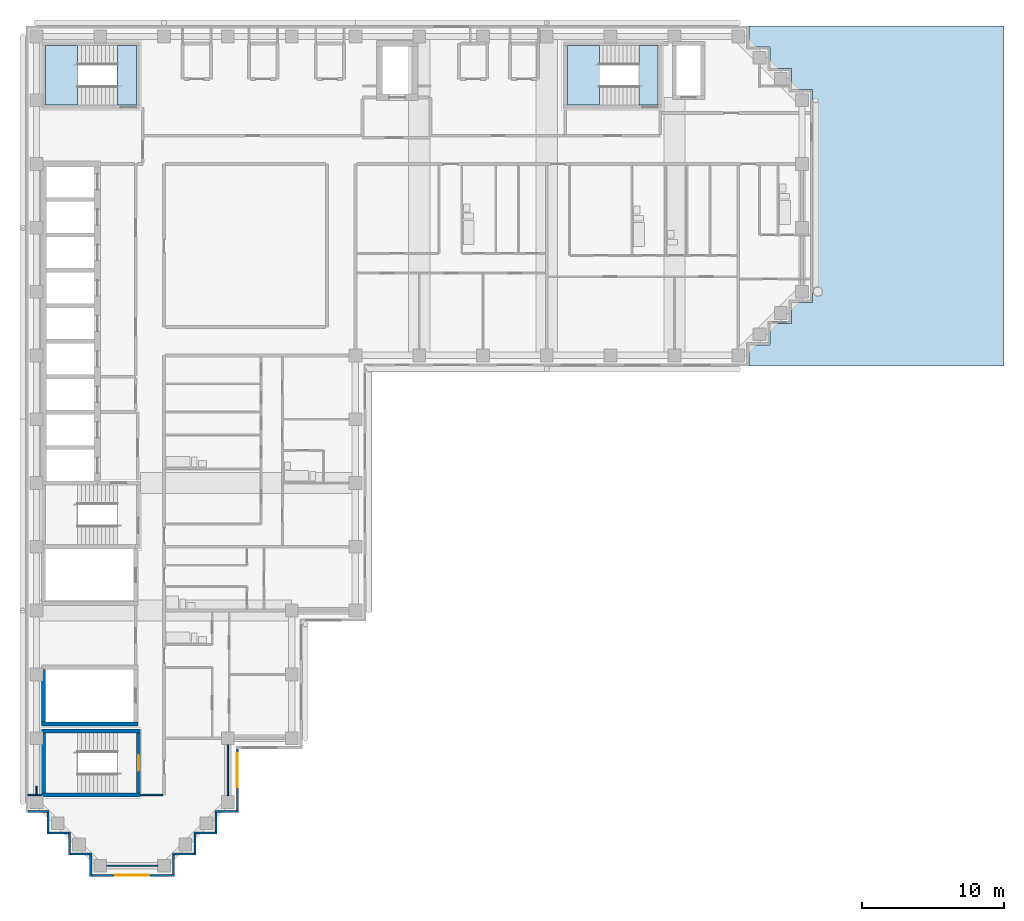
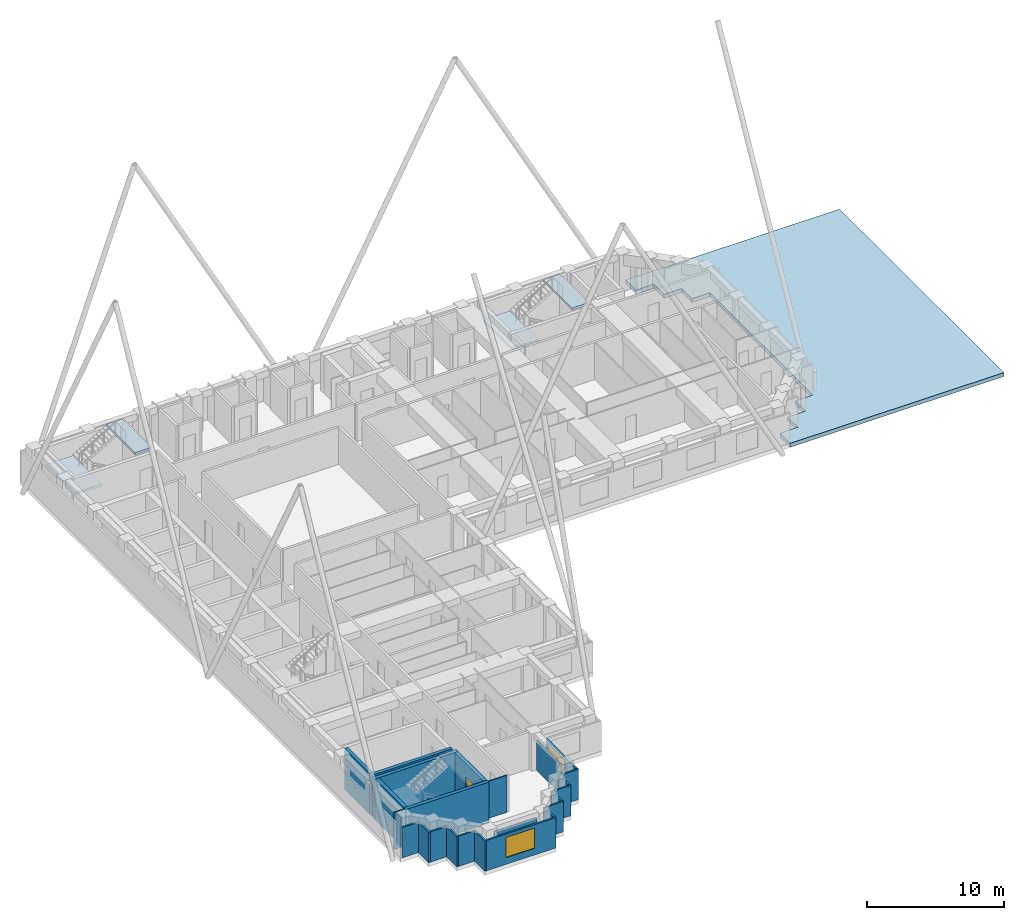
# One storey, part 2 of 11: 25 walls, 5 slabs, 2 windows, 1 door, 3 openings, 2 elements without a shape of their own.
"""IFC4 building model written with IfcOpenShell, lengths in metres."""

from ifc_helpers import new_model, si_unit, direction, frame, frame_2d, origin, place, context, subcontext, project, spatial, polyline, rectangle, outline, extrude, material, layer, layer_set, type_object, element, fill, aggregate, save


model = new_model("IFC4")

# Units and contexts
model_context = context("Model", 3, precision=1e-05, world=origin(), true_north=direction((0.0, 1.0)))
body_context = subcontext(model_context, "Body", "Model", "MODEL_VIEW")
ifc_project = project(units=[si_unit("LENGTHUNIT", "METRE"), si_unit("AREAUNIT", "SQUARE_METRE"), si_unit("VOLUMEUNIT", "CUBIC_METRE"), si_unit("PLANEANGLEUNIT", "RADIAN"), si_unit("MASSUNIT", "GRAM", prefix="KILO")], contexts=[model_context])

# Site, building, storey
site_placement = place(None, origin())
site = spatial("IfcSite", under=ifc_project, at=site_placement, CompositionType="ELEMENT")
building_placement = place(site_placement, origin())
building = spatial("IfcBuilding", under=site, at=building_placement, Name="Firuza Court", CompositionType="ELEMENT")
storey_placement = place(building_placement, frame((0.0, 0.0, 186.199951171875)))
storey = spatial("IfcBuildingStorey", under=building, at=storey_placement, Name="L47", CompositionType="ELEMENT", Elevation=186.199951171875)

# Slab
ifc_material_1 = material(Name="Concrete C40/50", Category="concrete")
ifc_layer_1 = layer(ifc_material_1, 0.35009765625)
ifc_layer_set_1 = layer_set([ifc_layer_1], Name="Concrete C40/50")
slab_type_1 = type_object("IfcSlabType", Name="Roof slab 350 C40/50", PredefinedType="ROOF", material=ifc_layer_set_1)
slab_1_placement = place(storey_placement, frame((0.0, 0.0, -0.349853515625)))
element("IfcSlab", 1, at=slab_1_placement, inside=storey, type_object=slab_type_1, Name="Terrace roof slab L47", PredefinedType="ROOF", context=body_context, shape_type="SweptSolid", body=[
    extrude(outline(polyline([(68.25, 59.25), (68.25, 35.25), (50.25, 35.25), (50.25, 36.75), (51.75, 36.75), (51.75, 38.25), (53.25, 38.25), (53.25, 39.75), (54.75, 39.75), (54.75, 54.75), (53.25, 54.75), (53.25, 56.25), (51.75, 56.25), (51.75, 57.75), (50.25, 57.75), (50.25, 59.25), (68.25, 59.25)])), origin(), (0.0, 0.0, 1.0), 0.349853515625),
])

# Stair, slabs
ifc_material_2 = material(Name="Concrete C40/50 precast", Category="concrete")
stair_type = type_object("IfcStairType", Name="Stair 1350 x 3600 2 flights", PredefinedType="HALF_TURN_STAIR", material=ifc_material_2)
stair_1_placement = place(storey_placement, origin())
stair_1 = element("IfcStair", 2, at=stair_1_placement, inside=storey, type_object=stair_type, Name="Stair 1 L47", PredefinedType="HALF_TURN_STAIR")
ifc_material_3 = material(Name="Concrete C40/50 precast", Category="concrete")
ifc_layer_2 = layer(ifc_material_3, 0.199951171875)
ifc_layer_set_2 = layer_set([ifc_layer_2], Name="Concrete C40/50 precast")
slab_type_2 = type_object("IfcSlabType", Name="Stair landing 200", PredefinedType="LANDING", material=ifc_layer_set_2)
slab_2_placement = place(storey_placement, frame((0.0, 0.0, 1.60009765625)))
slab_2 = element("IfcSlab", 3, at=slab_2_placement, type_object=slab_type_2, Name="S1 landing 1", PredefinedType="LANDING", context=body_context, shape_type="SweptSolid", body=[
    extrude(outline(polyline([(39.699951171875, 53.64990234375), (39.699951171875, 57.85009765625), (37.449951171875, 57.85009765625), (37.449951171875, 53.64990234375), (39.699951171875, 53.64990234375)])), origin(), (0.0, 0.0, 1.0), 0.199951171875),
])
slab_3_placement = place(storey_placement, frame((0.0, 0.0, 3.400146484375)))
slab_3 = element("IfcSlab", 4, at=slab_3_placement, type_object=slab_type_2, Name="S1 landing 2", PredefinedType="LANDING", context=body_context, shape_type="SweptSolid", body=[
    extrude(outline(polyline([(43.85009765625, 53.64990234375), (43.85009765625, 57.85009765625), (42.5, 57.85009765625), (42.5, 53.64990234375), (43.85009765625, 53.64990234375)])), origin(), (0.0, 0.0, 1.0), 0.199951171875),
])
aggregate(stair_1, [slab_2, slab_3])

stair_2_placement = place(storey_placement, origin())
stair_2 = element("IfcStair", 5, at=stair_2_placement, inside=storey, type_object=stair_type, Name="Stair 3 L47", PredefinedType="HALF_TURN_STAIR")
slab_4_placement = place(storey_placement, frame((0.0, 0.0, 1.60009765625)))
slab_4 = element("IfcSlab", 6, at=slab_4_placement, type_object=slab_type_2, Name="S3 landing 1", PredefinedType="LANDING", context=body_context, shape_type="SweptSolid", body=[
    extrude(outline(polyline([(2.89990234375, 53.64990234375), (2.89990234375, 57.85009765625), (0.64990234375, 57.85009765625), (0.64990234375, 53.64990234375), (2.89990234375, 53.64990234375)])), origin(), (0.0, 0.0, 1.0), 0.199951171875),
])
slab_5_placement = place(storey_placement, frame((0.0, 0.0, 3.400146484375)))
slab_5 = element("IfcSlab", 7, at=slab_5_placement, type_object=slab_type_2, Name="S3 landing 2", PredefinedType="LANDING", context=body_context, shape_type="SweptSolid", body=[
    extrude(outline(polyline([(7.050048828125, 53.64990234375), (7.050048828125, 57.85009765625), (5.699951171875, 57.85009765625), (5.699951171875, 53.64990234375), (7.050048828125, 53.64990234375)])), origin(), (0.0, 0.0, 1.0), 0.199951171875),
])
aggregate(stair_2, [slab_4, slab_5])

# Walls
ifc_material_4 = material(Name="Concrete C50/60", Category="concrete")
ifc_layer_3 = layer(ifc_material_4, 0.300048828125)
ifc_layer_set_3 = layer_set([ifc_layer_3], Name="Concrete C50/60")
wall_type_1 = type_object("IfcWallType", Name="Core wall 300 C50/60", PredefinedType="SHEAR", material=ifc_layer_set_3)
for number, where, z_axis, x_axis, name in (
    (8, (0.35009765625, 5.0, -0.349853515625), (0.0, 0.0, 1.0), (1.0, 0.0, 0.0), "Core wall stair L47"),
    (9, (0.35009765625, 9.5, -0.349853515625), (0.0, 0.0, 1.0), (1.0, 0.0, 0.0), "Core wall stair L47"),
):
    element("IfcWall", number, at=place(storey_placement, frame(where, z_axis=z_axis, x_axis=x_axis)), inside=storey, type_object=wall_type_1, Name=name, PredefinedType="SHEAR", context=body_context, shape_type="SweptSolid", body=[
        extrude(rectangle(XDim=7.0, YDim=0.300048828125, at=frame_2d((3.5, 0.0))), origin(), (0.0, 0.0, 1.0), 3.64990234375),
    ])
wall_1_placement = place(storey_placement, frame((0.35009765625, 10.0, -0.349853515625), z_axis=(0.0, 0.0, 1.0), x_axis=(1.0, 0.0, 0.0)))
element("IfcWall", 10, at=wall_1_placement, inside=storey, type_object=wall_type_1, Name="Core wall riser L47", PredefinedType="SHEAR", context=body_context, shape_type="SweptSolid", body=[
    extrude(rectangle(XDim=6.7998046875, YDim=0.300048828125, at=frame_2d((3.39990234375, 0.0))), origin(), (0.0, 0.0, 1.0), 3.64990234375),
])
wall_2_placement = place(storey_placement, frame((0.5, 5.14990234375, -0.349853515625), z_axis=(0.0, 0.0, 1.0), x_axis=(0.0, 1.0, 0.0)))
element("IfcWall", 11, at=wall_2_placement, inside=storey, type_object=wall_type_1, Name="Core wall stair L47", PredefinedType="SHEAR", context=body_context, shape_type="SweptSolid", body=[
    extrude(rectangle(XDim=4.2001953125, YDim=0.300048828125, at=frame_2d((2.10009765625, 0.0))), origin(), (0.0, 0.0, 1.0), 3.64990234375),
])
wall_3_placement = place(storey_placement, frame((0.5, 10.14990234375, -0.349853515625), z_axis=(0.0, 0.0, 1.0), x_axis=(0.0, 1.0, 0.0)))
element("IfcWall", 12, at=wall_3_placement, inside=storey, type_object=wall_type_1, Name="Core wall riser L47", PredefinedType="SHEAR", context=body_context, shape_type="SweptSolid", body=[
    extrude(rectangle(XDim=3.7001953125, YDim=0.300048828125, at=frame_2d((1.85009765625, 0.0))), origin(), (0.0, 0.0, 1.0), 3.64990234375),
])

# Wall, opening, door
wall_4_placement = place(storey_placement, frame((7.199951171875, 5.14990234375, -0.349853515625), z_axis=(0.0, 0.0, 1.0), x_axis=(0.0, 1.0, 0.0)))
wall_4 = element("IfcWall", 13, at=wall_4_placement, inside=storey, type_object=wall_type_1, Name="Core wall stair L47", PredefinedType="SHEAR", context=body_context, shape_type="SweptSolid", body=[
    extrude(rectangle(XDim=4.2001953125, YDim=0.300048828125, at=frame_2d((2.10009765625, 0.0))), origin(), (0.0, 0.0, 1.0), 3.64990234375),
])
opening_1_placement = place(wall_4_placement, frame((1.550048828125, 0.0, 0.35009765625)))
opening_1 = element("IfcOpeningElement", 14, at=opening_1_placement, cuts=wall_4, Name="Opening D47015", PredefinedType="OPENING", context=body_context, shape_type="SweptSolid", body=[
    extrude(rectangle(XDim=1.10009765625, YDim=2.10009765625, at=frame_2d((0.550048828125, 1.050048828125))), frame((0.0, 0.162109375, 0.0), z_axis=(0.0, -1.0, 0.0), x_axis=(1.0, 0.0, 0.0)), (0.0, 0.0, 1.0), 0.323974609375),
])
ifc_material_5 = material(Name="Timber door leaf in hardwood frame", Category="wood")
door_type = type_object("IfcDoorType", Name="Stair door 1100", OperationType="SINGLE_SWING_LEFT", PredefinedType="DOOR", material=ifc_material_5)
door_placement = place(opening_1_placement, origin())
door = element("IfcDoor", 15, at=door_placement, inside=storey, type_object=door_type, Name="Stair door S5", OperationType="SINGLE_SWING_LEFT", OverallHeight=2.10009765625, OverallWidth=1.10009765625, PredefinedType="DOOR", context=body_context, shape_type="SweptSolid", body=[
    extrude(rectangle(XDim=1.10009765625, YDim=2.10009765625, at=frame_2d((0.550048828125, 1.050048828125))), frame((0.0, 0.02490234375, 0.0), z_axis=(0.0, -1.0, 0.0), x_axis=(1.0, 0.0, 0.0)), (0.0, 0.0, 1.0), 0.050048828125),
])
fill(opening_1, door)

# Walls
ifc_material_6 = material(Name="Timber stud partition, plasterboard both sides", Category="wood")
ifc_layer_4 = layer(ifc_material_6, 0.10009765625)
ifc_layer_set_4 = layer_set([ifc_layer_4], Name="Timber stud partition, plasterboard both sides")
wall_type_2 = type_object("IfcWallType", Name="Partition wall 100", PredefinedType="PARTITIONING", material=ifc_layer_set_4)
wall_5_placement = place(storey_placement, frame((4.949951171875, 0.0, 0.0), z_axis=(0.0, 0.0, 1.0), x_axis=(1.0, 0.0, 0.0)))
element("IfcWall", 16, at=wall_5_placement, inside=storey, type_object=wall_type_2, Name="Partition wall 100 L47", PredefinedType="PARTITIONING", context=body_context, shape_type="SweptSolid", body=[
    extrude(rectangle(XDim=3.60009765625, YDim=0.10009765625, at=frame_2d((1.800048828125, 0.0))), origin(), (0.0, 0.0, 1.0), 2.699951171875),
])
wall_6_placement = place(storey_placement, frame((0.0, 4.949951171875, 0.0), z_axis=(0.0, 0.0, 1.0), x_axis=(0.0, 1.0, 0.0)))
element("IfcWall", 17, at=wall_6_placement, inside=storey, type_object=wall_type_2, Name="Partition wall 100 L47", PredefinedType="PARTITIONING", context=body_context, shape_type="SweptSolid", body=[
    extrude(rectangle(XDim=0.650146484375, YDim=0.10009765625, at=frame_2d((0.3251953125, 0.0))), origin(), (0.0, 0.0, 1.0), 2.699951171875),
])
wall_7_placement = place(storey_placement, frame((13.5, 4.949951171875, 0.0), z_axis=(0.0, 0.0, 1.0), x_axis=(0.0, 1.0, 0.0)))
element("IfcWall", 18, at=wall_7_placement, inside=storey, type_object=wall_type_2, Name="Partition wall 100 L47", PredefinedType="PARTITIONING", context=body_context, shape_type="SweptSolid", body=[
    extrude(rectangle(XDim=3.60009765625, YDim=0.10009765625, at=frame_2d((1.800048828125, 0.0))), origin(), (0.0, 0.0, 1.0), 2.699951171875),
])
wall_8_placement = place(storey_placement, frame((-0.60009765625, 5.0, 0.0), z_axis=(0.0, 0.0, 1.0), x_axis=(1.0, 0.0, 0.0)))
element("IfcWall", 19, at=wall_8_placement, inside=storey, type_object=wall_type_2, Name="Partition wall 100 L47", PredefinedType="PARTITIONING", context=body_context, shape_type="SweptSolid", body=[
    extrude(rectangle(XDim=0.951171875, YDim=0.10009765625, at=frame_2d((0.4755859375, 0.0))), origin(), (0.0, 0.0, 1.0), 3.300048828125),
])
wall_9_placement = place(storey_placement, frame((7.34912109375, 5.0, 0.0), z_axis=(0.0, 0.0, 1.0), x_axis=(1.0, 0.0, 0.0)))
element("IfcWall", 20, at=wall_9_placement, inside=storey, type_object=wall_type_2, Name="Partition wall 100 L47", PredefinedType="PARTITIONING", context=body_context, shape_type="SweptSolid", body=[
    extrude(rectangle(XDim=1.55078125, YDim=0.10009765625, at=frame_2d((0.775390625, 0.0))), origin(), (0.0, 0.0, 1.0), 3.300048828125),
])
ifc_material_7 = material(Name="Ceramic tile", Category="ceramic")
ifc_layer_5 = layer(ifc_material_7, 0.02001953125)
ifc_material_8 = material(Name="Mineral wool insulation", Category="insulation")
ifc_layer_6 = layer(ifc_material_8, 0.050048828125)
ifc_layer_7 = layer(ifc_material_3, 0.080078125)
ifc_layer_set_5 = layer_set([ifc_layer_5, ifc_layer_6, ifc_layer_7], Name="Concrete C40/50 precast")
wall_type_3 = type_object("IfcWallType", Name="Precast cladding wall with turquoise TILE PANEL face 150", PredefinedType="STANDARD", material=ifc_layer_set_5)
wall_10_placement = place(storey_placement, frame((-0.60009765625, 3.824951171875, 0.0), z_axis=(0.0, 0.0, 1.0), x_axis=(1.0, 0.0, 0.0)))
element("IfcWall", 21, at=wall_10_placement, inside=storey, type_object=wall_type_3, Name="Facade wall L47 S", PredefinedType="STANDARD", context=body_context, shape_type="SweptSolid", body=[
    extrude(rectangle(XDim=1.35009765625, YDim=0.14990234375, at=frame_2d((0.675048828125, 0.0))), origin(), (0.0, 0.0, 1.0), 2.699951171875),
])
wall_11_placement = place(storey_placement, frame((0.824951171875, 3.89990234375, 0.0), z_axis=(0.0, 0.0, 1.0), x_axis=(0.0, -1.0, 0.0)))
element("IfcWall", 22, at=wall_11_placement, inside=storey, type_object=wall_type_3, Name="Facade wall L47 W", PredefinedType="STANDARD", context=body_context, shape_type="SweptSolid", body=[
    extrude(rectangle(XDim=1.64990234375, YDim=0.14990234375, at=frame_2d((0.824951171875, 0.0))), origin(), (0.0, 0.0, 1.0), 2.699951171875),
])
wall_12_placement = place(storey_placement, frame((0.89990234375, 2.324951171875, 0.0), z_axis=(0.0, 0.0, 1.0), x_axis=(1.0, 0.0, 0.0)))
element("IfcWall", 23, at=wall_12_placement, inside=storey, type_object=wall_type_3, Name="Facade wall L47 S", PredefinedType="STANDARD", context=body_context, shape_type="SweptSolid", body=[
    extrude(rectangle(XDim=1.35009765625, YDim=0.14990234375, at=frame_2d((0.675048828125, 0.0))), origin(), (0.0, 0.0, 1.0), 2.699951171875),
])
wall_13_placement = place(storey_placement, frame((2.324951171875, 2.39990234375, 0.0), z_axis=(0.0, 0.0, 1.0), x_axis=(0.0, -1.0, 0.0)))
element("IfcWall", 24, at=wall_13_placement, inside=storey, type_object=wall_type_3, Name="Facade wall L47 W", PredefinedType="STANDARD", context=body_context, shape_type="SweptSolid", body=[
    extrude(rectangle(XDim=1.64990234375, YDim=0.14990234375, at=frame_2d((0.824951171875, 0.0))), origin(), (0.0, 0.0, 1.0), 2.699951171875),
])
wall_14_placement = place(storey_placement, frame((2.39990234375, 0.824951171875, 0.0), z_axis=(0.0, 0.0, 1.0), x_axis=(1.0, 0.0, 0.0)))
element("IfcWall", 25, at=wall_14_placement, inside=storey, type_object=wall_type_3, Name="Facade wall L47 S", PredefinedType="STANDARD", context=body_context, shape_type="SweptSolid", body=[
    extrude(rectangle(XDim=1.35009765625, YDim=0.14990234375, at=frame_2d((0.675048828125, 0.0))), origin(), (0.0, 0.0, 1.0), 2.699951171875),
])
wall_15_placement = place(storey_placement, frame((3.824951171875, 0.89990234375, 0.0), z_axis=(0.0, 0.0, 1.0), x_axis=(0.0, -1.0, 0.0)))
element("IfcWall", 26, at=wall_15_placement, inside=storey, type_object=wall_type_3, Name="Facade wall L47 W", PredefinedType="STANDARD", context=body_context, shape_type="SweptSolid", body=[
    extrude(rectangle(XDim=1.64990234375, YDim=0.14990234375, at=frame_2d((0.824951171875, 0.0))), origin(), (0.0, 0.0, 1.0), 2.699951171875),
])

# Wall, opening, window
wall_16_placement = place(storey_placement, frame((3.89990234375, -0.675048828125, 0.0), z_axis=(0.0, 0.0, 1.0), x_axis=(1.0, 0.0, 0.0)))
wall_16 = element("IfcWall", 27, at=wall_16_placement, inside=storey, type_object=wall_type_3, Name="Facade wall L47 S", PredefinedType="STANDARD", context=body_context, shape_type="SweptSolid", body=[
    extrude(rectangle(XDim=5.85009765625, YDim=0.14990234375, at=frame_2d((2.925048828125, 0.0))), origin(), (0.0, 0.0, 1.0), 2.699951171875),
])
opening_2_placement = place(wall_16_placement, frame((1.64990234375, 0.0, 0.60009765625)))
opening_2 = element("IfcOpeningElement", 28, at=opening_2_placement, cuts=wall_16, Name="Opening W1", PredefinedType="OPENING", context=body_context, shape_type="SweptSolid", body=[
    extrude(rectangle(XDim=2.39990234375, YDim=1.800048828125, at=frame_2d((1.199951171875, 0.89990234375))), frame((0.0, 0.0869140625, 0.0), z_axis=(0.0, -1.0, 0.0), x_axis=(1.0, 0.0, 0.0)), (0.0, 0.0, 1.0), 0.173828125),
])
ifc_material_9 = material(Name="Aluminium frame, triple clear glazing", Category="aluminium")
window_type = type_object("IfcWindowType", Name="Window W1 2400 x 1800", PartitioningType="SINGLE_PANEL", PredefinedType="WINDOW", material=ifc_material_9)
window_1_placement = place(opening_2_placement, origin())
window_1 = element("IfcWindow", 29, at=window_1_placement, inside=storey, type_object=window_type, Name="Window L47", OverallHeight=1.800048828125, OverallWidth=2.39990234375, PartitioningType="SINGLE_PANEL", PredefinedType="WINDOW", context=body_context, shape_type="SweptSolid", body=[
    extrude(rectangle(XDim=2.39990234375, YDim=1.800048828125, at=frame_2d((1.199951171875, 0.89990234375))), frame((0.0, 0.030029296875, 0.0), z_axis=(0.0, -1.0, 0.0), x_axis=(1.0, 0.0, 0.0)), (0.0, 0.0, 1.0), 0.06005859375),
])
fill(opening_2, window_1)

# Walls
wall_17_placement = place(storey_placement, frame((9.675048828125, -0.60009765625, 0.0), z_axis=(0.0, 0.0, 1.0), x_axis=(0.0, 1.0, 0.0)))
element("IfcWall", 30, at=wall_17_placement, inside=storey, type_object=wall_type_3, Name="Facade wall L47 E", PredefinedType="STANDARD", context=body_context, shape_type="SweptSolid", body=[
    extrude(rectangle(XDim=1.35009765625, YDim=0.14990234375, at=frame_2d((0.675048828125, 0.0))), origin(), (0.0, 0.0, 1.0), 2.699951171875),
])
wall_18_placement = place(storey_placement, frame((9.60009765625, 0.824951171875, 0.0), z_axis=(0.0, 0.0, 1.0), x_axis=(1.0, 0.0, 0.0)))
element("IfcWall", 31, at=wall_18_placement, inside=storey, type_object=wall_type_3, Name="Facade wall L47 S", PredefinedType="STANDARD", context=body_context, shape_type="SweptSolid", body=[
    extrude(rectangle(XDim=1.64990234375, YDim=0.14990234375, at=frame_2d((0.824951171875, 0.0))), origin(), (0.0, 0.0, 1.0), 2.699951171875),
])
wall_19_placement = place(storey_placement, frame((11.175048828125, 0.89990234375, 0.0), z_axis=(0.0, 0.0, 1.0), x_axis=(0.0, 1.0, 0.0)))
element("IfcWall", 32, at=wall_19_placement, inside=storey, type_object=wall_type_3, Name="Facade wall L47 E", PredefinedType="STANDARD", context=body_context, shape_type="SweptSolid", body=[
    extrude(rectangle(XDim=1.35009765625, YDim=0.14990234375, at=frame_2d((0.675048828125, 0.0))), origin(), (0.0, 0.0, 1.0), 2.699951171875),
])
wall_20_placement = place(storey_placement, frame((11.10009765625, 2.324951171875, 0.0), z_axis=(0.0, 0.0, 1.0), x_axis=(1.0, 0.0, 0.0)))
element("IfcWall", 33, at=wall_20_placement, inside=storey, type_object=wall_type_3, Name="Facade wall L47 S", PredefinedType="STANDARD", context=body_context, shape_type="SweptSolid", body=[
    extrude(rectangle(XDim=1.64990234375, YDim=0.14990234375, at=frame_2d((0.824951171875, 0.0))), origin(), (0.0, 0.0, 1.0), 2.699951171875),
])
wall_21_placement = place(storey_placement, frame((12.675048828125, 2.39990234375, 0.0), z_axis=(0.0, 0.0, 1.0), x_axis=(0.0, 1.0, 0.0)))
element("IfcWall", 34, at=wall_21_placement, inside=storey, type_object=wall_type_3, Name="Facade wall L47 E", PredefinedType="STANDARD", context=body_context, shape_type="SweptSolid", body=[
    extrude(rectangle(XDim=1.35009765625, YDim=0.14990234375, at=frame_2d((0.675048828125, 0.0))), origin(), (0.0, 0.0, 1.0), 2.699951171875),
])
wall_22_placement = place(storey_placement, frame((12.60009765625, 3.824951171875, 0.0), z_axis=(0.0, 0.0, 1.0), x_axis=(1.0, 0.0, 0.0)))
element("IfcWall", 35, at=wall_22_placement, inside=storey, type_object=wall_type_3, Name="Facade wall L47 S", PredefinedType="STANDARD", context=body_context, shape_type="SweptSolid", body=[
    extrude(rectangle(XDim=1.64990234375, YDim=0.14990234375, at=frame_2d((0.824951171875, 0.0))), origin(), (0.0, 0.0, 1.0), 2.699951171875),
])

# Wall, opening, window
wall_23_placement = place(storey_placement, frame((14.175048828125, 3.89990234375, 0.0), z_axis=(0.0, 0.0, 1.0), x_axis=(0.0, 1.0, 0.0)))
wall_23 = element("IfcWall", 36, at=wall_23_placement, inside=storey, type_object=wall_type_3, Name="Facade wall L47 E", PredefinedType="STANDARD", context=body_context, shape_type="SweptSolid", body=[
    extrude(rectangle(XDim=4.35009765625, YDim=0.14990234375, at=frame_2d((2.175048828125, 0.0))), origin(), (0.0, 0.0, 1.0), 2.699951171875),
])
opening_3_placement = place(wall_23_placement, frame((1.64990234375, 0.0, 0.60009765625)))
opening_3 = element("IfcOpeningElement", 37, at=opening_3_placement, cuts=wall_23, Name="Opening W1", PredefinedType="OPENING", context=body_context, shape_type="SweptSolid", body=[
    extrude(rectangle(XDim=2.39990234375, YDim=1.800048828125, at=frame_2d((1.199951171875, 0.89990234375))), frame((0.0, 0.0869140625, 0.0), z_axis=(0.0, -1.0, 0.0), x_axis=(1.0, 0.0, 0.0)), (0.0, 0.0, 1.0), 0.173828125),
])
window_2_placement = place(opening_3_placement, origin())
window_2 = element("IfcWindow", 38, at=window_2_placement, inside=storey, type_object=window_type, Name="Window L47", OverallHeight=1.800048828125, OverallWidth=2.39990234375, PartitioningType="SINGLE_PANEL", PredefinedType="WINDOW", context=body_context, shape_type="SweptSolid", body=[
    extrude(rectangle(XDim=2.39990234375, YDim=1.800048828125, at=frame_2d((1.199951171875, 0.89990234375))), frame((0.0, 0.030029296875, 0.0), z_axis=(0.0, -1.0, 0.0), x_axis=(1.0, 0.0, 0.0)), (0.0, 0.0, 1.0), 0.06005859375),
])
fill(opening_3, window_2)

save(model, "model.ifc")
